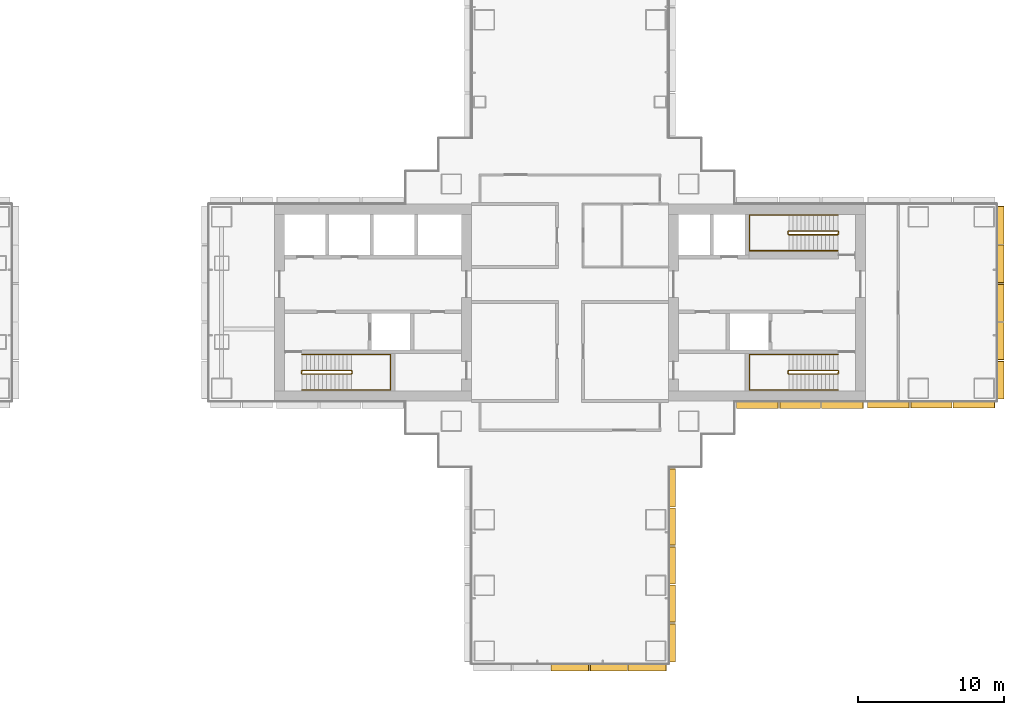
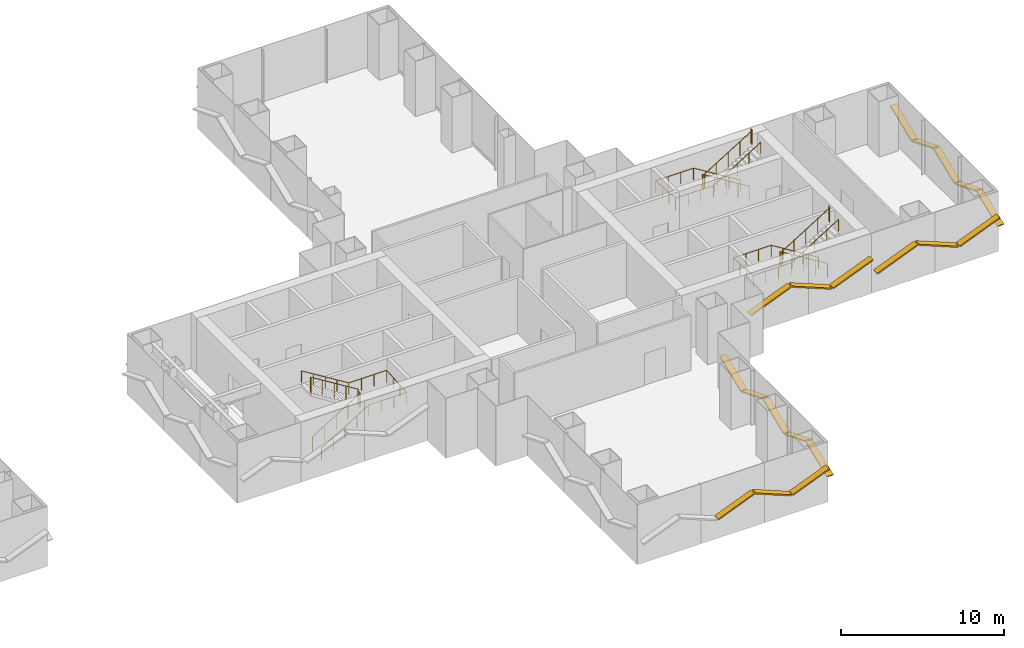
# One storey, part 21 of 22: 19 shading devices, 6 railings.
"""IFC4 building model written with IfcOpenShell, lengths in metres."""

from ifc_helpers import new_model, si_unit, direction, frame, origin, origin_2d, place, context, subcontext, project, spatial, rectangle, circle, extrude, material, material_profile, profile_set, type_object, element, save


model = new_model("IFC4")

# Units and contexts
model_context = context("Model", 3, precision=1e-05, world=origin(), true_north=direction((0.0, 1.0)))
body_context = subcontext(model_context, "Body", "Model", "MODEL_VIEW")
ifc_project = project(units=[si_unit("LENGTHUNIT", "METRE"), si_unit("AREAUNIT", "SQUARE_METRE"), si_unit("VOLUMEUNIT", "CUBIC_METRE"), si_unit("PLANEANGLEUNIT", "RADIAN"), si_unit("MASSUNIT", "GRAM", prefix="KILO")], contexts=[model_context])

# Site, building, storey
site_placement = place(None, origin())
site = spatial("IfcSite", under=ifc_project, at=site_placement, CompositionType="ELEMENT")
building_placement = place(site_placement, origin())
building = spatial("IfcBuilding", under=site, at=building_placement, Name="Shamsa Quay Exchange Towers", CompositionType="ELEMENT")
storey_placement = place(building_placement, frame((0.0, 0.0, 33.0)))
storey = spatial("IfcBuildingStorey", under=building, at=storey_placement, Name="L06", CompositionType="ELEMENT", Elevation=33.0)

# Shading devices
ifc_material_1 = material(Name="Aluminium EN AW-6063 T6, black anodised", Category="aluminium")
ifc_material_profile = material_profile(ifc_material_1, rectangle(XDim=0.449951171875, YDim=0.10009765625, at=origin_2d()), Name="FIN450x100")
ifc_profile_set = profile_set([ifc_material_profile], Name="Aluminium EN AW-6063 T6, black anodised")
shading_device_type = type_object("IfcShadingDeviceType", Name="FIN 450x100 BLACK ALUMINIUM", PredefinedType="USERDEFINED", material=ifc_profile_set)
shading_device_1_placement = place(storey_placement, frame((45.18798828125, -7.01904296875, 1.326904296875), z_axis=(0.927200279974, 0.0, 0.374565936541), x_axis=(0.0, 1.0, 0.0)))
element("IfcShadingDevice", 1, at=shading_device_1_placement, inside=storey, type_object=shading_device_type, Name="FIN T2 chevron rib", ObjectType="FIN", PredefinedType="USERDEFINED", context=body_context, shape_type="SweptSolid", body=[
    extrude(rectangle(XDim=0.449951171875, YDim=0.10009765625, at=origin_2d()), origin(), (0.0, 0.0, 1.0), 3.060302734375),
])
shading_device_2_placement = place(storey_placement, frame((48.125244140625, -7.01904296875, 2.463134765625), z_axis=(0.927177294124, 0.0, -0.374622830673), x_axis=(0.0, 1.0, 0.0)))
element("IfcShadingDevice", 2, at=shading_device_2_placement, inside=storey, type_object=shading_device_type, Name="FIN T2 chevron rib", ObjectType="FIN", PredefinedType="USERDEFINED", context=body_context, shape_type="SweptSolid", body=[
    extrude(rectangle(XDim=0.449951171875, YDim=0.10009765625, at=origin_2d()), origin(), (0.0, 0.0, 1.0), 3.00634765625),
])
shading_device_3_placement = place(storey_placement, frame((51.0126953125, -7.01904296875, 1.326904296875), z_axis=(0.927200279974, 0.0, 0.374565936541), x_axis=(0.0, 1.0, 0.0)))
element("IfcShadingDevice", 3, at=shading_device_3_placement, inside=storey, type_object=shading_device_type, Name="FIN T2 chevron rib", ObjectType="FIN", PredefinedType="USERDEFINED", context=body_context, shape_type="SweptSolid", body=[
    extrude(rectangle(XDim=0.449951171875, YDim=0.10009765625, at=origin_2d()), origin(), (0.0, 0.0, 1.0), 3.060302734375),
])
shading_device_4_placement = place(storey_placement, frame((54.14990234375, -7.014892578125, 1.32421875), z_axis=(0.927172879528, 0.0, 0.374633756445), x_axis=(0.0, 1.0, 0.0)))
element("IfcShadingDevice", 4, at=shading_device_4_placement, inside=storey, type_object=shading_device_type, Name="FIN T2 chevron rib", ObjectType="FIN", PredefinedType="USERDEFINED", context=body_context, shape_type="SweptSolid", body=[
    extrude(rectangle(XDim=0.449951171875, YDim=0.10009765625, at=origin_2d()), origin(), (0.0, 0.0, 1.0), 3.073974609375),
])
shading_device_5_placement = place(storey_placement, frame((57.10009765625, -7.014892578125, 2.465576171875), z_axis=(0.927194321903, 0.0, -0.374580684808), x_axis=(0.0, 1.0, 0.0)))
element("IfcShadingDevice", 5, at=shading_device_5_placement, inside=storey, type_object=shading_device_type, Name="FIN T2 chevron rib", ObjectType="FIN", PredefinedType="USERDEFINED", context=body_context, shape_type="SweptSolid", body=[
    extrude(rectangle(XDim=0.449951171875, YDim=0.10009765625, at=origin_2d()), origin(), (0.0, 0.0, 1.0), 3.01953125),
])
shading_device_6_placement = place(storey_placement, frame((60.0, -7.014892578125, 1.32421875), z_axis=(0.927172879528, 0.0, 0.374633756445), x_axis=(0.0, 1.0, 0.0)))
element("IfcShadingDevice", 6, at=shading_device_6_placement, inside=storey, type_object=shading_device_type, Name="FIN T2 chevron rib", ObjectType="FIN", PredefinedType="USERDEFINED", context=body_context, shape_type="SweptSolid", body=[
    extrude(rectangle(XDim=0.449951171875, YDim=0.10009765625, at=origin_2d()), origin(), (0.0, 0.0, 1.0), 3.073974609375),
])
shading_device_7_placement = place(storey_placement, frame((63.264892578125, -6.60009765625, 1.376708984375), z_axis=(0.0, 0.927193392866, 0.374582984431), x_axis=(-1.0, 0.0, 0.0)))
element("IfcShadingDevice", 7, at=shading_device_7_placement, inside=storey, type_object=shading_device_type, Name="FIN T2 chevron rib", ObjectType="FIN", PredefinedType="USERDEFINED", context=body_context, shape_type="SweptSolid", body=[
    extrude(rectangle(XDim=0.449951171875, YDim=0.10009765625, at=origin_2d()), origin(), (0.0, 0.0, 1.0), 2.79345703125),
])
shading_device_8_placement = place(storey_placement, frame((63.264892578125, -3.909912109375, 2.4130859375), z_axis=(0.0, 0.92718648049, -0.374600093963), x_axis=(-1.0, 0.0, 0.0)))
element("IfcShadingDevice", 8, at=shading_device_8_placement, inside=storey, type_object=shading_device_type, Name="FIN T2 chevron rib", ObjectType="FIN", PredefinedType="USERDEFINED", context=body_context, shape_type="SweptSolid", body=[
    extrude(rectangle(XDim=0.449951171875, YDim=0.10009765625, at=origin_2d()), origin(), (0.0, 0.0, 1.0), 2.7392578125),
])
shading_device_9_placement = place(storey_placement, frame((63.264892578125, -1.27001953125, 1.386962890625), z_axis=(0.0, 0.927198985683, 0.37456914041), x_axis=(-1.0, 0.0, 0.0)))
element("IfcShadingDevice", 9, at=shading_device_9_placement, inside=storey, type_object=shading_device_type, Name="FIN T2 chevron rib", ObjectType="FIN", PredefinedType="USERDEFINED", context=body_context, shape_type="SweptSolid", body=[
    extrude(rectangle(XDim=0.449951171875, YDim=0.10009765625, at=origin_2d()), origin(), (0.0, 0.0, 1.0), 2.739501953125),
])
shading_device_10_placement = place(storey_placement, frame((63.264892578125, 1.3701171875, 2.4130859375), z_axis=(0.0, 0.92718648049, -0.374600093963), x_axis=(-1.0, 0.0, 0.0)))
element("IfcShadingDevice", 10, at=shading_device_10_placement, inside=storey, type_object=shading_device_type, Name="FIN T2 chevron rib", ObjectType="FIN", PredefinedType="USERDEFINED", context=body_context, shape_type="SweptSolid", body=[
    extrude(rectangle(XDim=0.449951171875, YDim=0.10009765625, at=origin_2d()), origin(), (0.0, 0.0, 1.0), 2.7392578125),
])
shading_device_11_placement = place(storey_placement, frame((63.264892578125, 4.010009765625, 1.376708984375), z_axis=(0.0, 0.927193392866, 0.374582984431), x_axis=(-1.0, 0.0, 0.0)))
element("IfcShadingDevice", 11, at=shading_device_11_placement, inside=storey, type_object=shading_device_type, Name="FIN T2 chevron rib", ObjectType="FIN", PredefinedType="USERDEFINED", context=body_context, shape_type="SweptSolid", body=[
    extrude(rectangle(XDim=0.449951171875, YDim=0.10009765625, at=origin_2d()), origin(), (0.0, 0.0, 1.0), 2.79345703125),
])
shading_device_12_placement = place(storey_placement, frame((32.47998046875, -25.014892578125, 1.386962890625), z_axis=(0.927198985683, 0.0, 0.37456914041), x_axis=(0.0, 1.0, 0.0)))
element("IfcShadingDevice", 12, at=shading_device_12_placement, inside=storey, type_object=shading_device_type, Name="FIN T2 chevron rib", ObjectType="FIN", PredefinedType="USERDEFINED", context=body_context, shape_type="SweptSolid", body=[
    extrude(rectangle(XDim=0.449951171875, YDim=0.10009765625, at=origin_2d()), origin(), (0.0, 0.0, 1.0), 2.739501953125),
])
shading_device_13_placement = place(storey_placement, frame((35.1201171875, -25.014892578125, 2.4130859375), z_axis=(0.92718648049, 0.0, -0.374600093963), x_axis=(0.0, 1.0, 0.0)))
element("IfcShadingDevice", 13, at=shading_device_13_placement, inside=storey, type_object=shading_device_type, Name="FIN T2 chevron rib", ObjectType="FIN", PredefinedType="USERDEFINED", context=body_context, shape_type="SweptSolid", body=[
    extrude(rectangle(XDim=0.449951171875, YDim=0.10009765625, at=origin_2d()), origin(), (0.0, 0.0, 1.0), 2.7392578125),
])
for number, where, z_axis, x_axis, name in (
    (14, (37.760009765625, -25.014892578125, 1.376708984375), (0.927193392866, 0.0, 0.374582984431), (0.0, 1.0, 0.0), "FIN T2 chevron rib"),
    (15, (40.764892578125, -24.60009765625, 1.376708984375), (0.0, 0.927193392866, 0.374582984431), (-1.0, 0.0, 0.0), "FIN T2 chevron rib"),
):
    element("IfcShadingDevice", number, at=place(storey_placement, frame(where, z_axis=z_axis, x_axis=x_axis)), inside=storey, type_object=shading_device_type, Name=name, ObjectType="FIN", PredefinedType="USERDEFINED", context=body_context, shape_type="SweptSolid", body=[
        extrude(rectangle(XDim=0.449951171875, YDim=0.10009765625, at=origin_2d()), origin(), (0.0, 0.0, 1.0), 2.79345703125),
    ])
shading_device_14_placement = place(storey_placement, frame((40.764892578125, -21.909912109375, 2.4130859375), z_axis=(0.0, 0.92718648049, -0.374600093963), x_axis=(-1.0, 0.0, 0.0)))
element("IfcShadingDevice", 16, at=shading_device_14_placement, inside=storey, type_object=shading_device_type, Name="FIN T2 chevron rib", ObjectType="FIN", PredefinedType="USERDEFINED", context=body_context, shape_type="SweptSolid", body=[
    extrude(rectangle(XDim=0.449951171875, YDim=0.10009765625, at=origin_2d()), origin(), (0.0, 0.0, 1.0), 2.7392578125),
])
shading_device_15_placement = place(storey_placement, frame((40.764892578125, -19.27001953125, 1.386962890625), z_axis=(0.0, 0.927198985683, 0.37456914041), x_axis=(-1.0, 0.0, 0.0)))
element("IfcShadingDevice", 17, at=shading_device_15_placement, inside=storey, type_object=shading_device_type, Name="FIN T2 chevron rib", ObjectType="FIN", PredefinedType="USERDEFINED", context=body_context, shape_type="SweptSolid", body=[
    extrude(rectangle(XDim=0.449951171875, YDim=0.10009765625, at=origin_2d()), origin(), (0.0, 0.0, 1.0), 2.739501953125),
])
shading_device_16_placement = place(storey_placement, frame((40.764892578125, -16.6298828125, 2.4130859375), z_axis=(0.0, 0.92718648049, -0.374600093963), x_axis=(-1.0, 0.0, 0.0)))
element("IfcShadingDevice", 18, at=shading_device_16_placement, inside=storey, type_object=shading_device_type, Name="FIN T2 chevron rib", ObjectType="FIN", PredefinedType="USERDEFINED", context=body_context, shape_type="SweptSolid", body=[
    extrude(rectangle(XDim=0.449951171875, YDim=0.10009765625, at=origin_2d()), origin(), (0.0, 0.0, 1.0), 2.7392578125),
])
shading_device_17_placement = place(storey_placement, frame((40.764892578125, -13.989990234375, 1.376708984375), z_axis=(0.0, 0.927193392866, 0.374582984431), x_axis=(-1.0, 0.0, 0.0)))
element("IfcShadingDevice", 19, at=shading_device_17_placement, inside=storey, type_object=shading_device_type, Name="FIN T2 chevron rib", ObjectType="FIN", PredefinedType="USERDEFINED", context=body_context, shape_type="SweptSolid", body=[
    extrude(rectangle(XDim=0.449951171875, YDim=0.10009765625, at=origin_2d()), origin(), (0.0, 0.0, 1.0), 2.79345703125),
])

# Railings
ifc_material_2 = material(Name="Stainless steel", Category="steel")
railing_type_1 = type_object("IfcRailingType", Name="STAIR GUARD 1100", PredefinedType="GUARDRAIL", material=ifc_material_2)
railing_1_placement = place(storey_placement, frame((15.39990234375, -4.89990234375, 0.173095703125)))
element("IfcRailing", 20, at=railing_1_placement, inside=storey, type_object=railing_type_1, Name="L06 ST4 stair guard 1", PredefinedType="GUARDRAIL", context=body_context, shape_type="SweptSolid", body=[
    extrude(circle(Radius=0.02392578125, at=origin_2d()), frame((0.0, 0.0, 1.076171875), z_axis=(0.850623216509, 0.0, 0.525775754039), x_axis=(0.0, 1.0, 0.0)), (0.0, 0.0, 1.0), 3.9501953125),
    extrude(circle(Radius=0.02392578125, at=origin_2d()), frame((3.360107421875, 0.0, 3.15283203125), z_axis=(0.708833529934, 0.705375805398, 0.0), x_axis=(-0.705375805398, 0.708833529934, 0.0)), (0.0, 0.0, 1.0), 0.070556640625),
    extrude(circle(Radius=0.02392578125, at=origin_2d()), frame((3.41015625, 0.0498046875, 3.15283203125), z_axis=(0.0, 1.0, 0.0), x_axis=(-1.0, 0.0, 0.0)), (0.0, 0.0, 1.0), 0.150146484375),
    extrude(circle(Radius=0.02392578125, at=origin_2d()), frame((3.41015625, 0.199951171875, 3.15283203125), z_axis=(-0.267629722418, 0.267629722418, 0.925607186314), x_axis=(-0.707106781187, -0.707106781187, 0.0)), (0.0, 0.0, 1.0), 0.18701171875),
    extrude(circle(Radius=0.02392578125, at=origin_2d()), frame((3.360107421875, 0.25, 3.326171875), z_axis=(-0.850623216509, 0.0, 0.525775754039), x_axis=(0.0, -1.0, 0.0)), (0.0, 0.0, 1.0), 3.9501953125),
    extrude(circle(Radius=0.02392578125, at=origin_2d()), frame((0.0, 0.25, 5.40283203125), z_axis=(-0.24142163986, -0.970420317083, 0.0), x_axis=(0.970420317083, -0.24142163986, 0.0)), (0.0, 0.0, 1.0), 0.206298828125),
    extrude(circle(Radius=0.02392578125, at=origin_2d()), frame((-0.0498046875, 0.0498046875, 5.40283203125), z_axis=(0.0, 1.0, 0.0), x_axis=(-1.0, 0.0, 0.0)), (0.0, 0.0, 1.0), 0.150146484375),
    extrude(circle(Radius=0.02099609375, at=origin_2d()), origin(), (0.0, 0.0, 1.0), 1.052001953125),
    extrude(circle(Radius=0.02099609375, at=origin_2d()), frame((0.840087890625, 0.0, 0.519287109375)), (0.0, 0.0, 1.0), 1.052001953125),
    extrude(circle(Radius=0.02099609375, at=origin_2d()), frame((1.68017578125, 0.0, 1.03857421875)), (0.0, 0.0, 1.0), 1.052001953125),
    extrude(circle(Radius=0.02099609375, at=origin_2d()), frame((2.52001953125, 0.0, 1.5576171875)), (0.0, 0.0, 1.0), 1.052001953125),
    extrude(circle(Radius=0.02099609375, at=origin_2d()), frame((3.360107421875, 0.0, 2.076904296875)), (0.0, 0.0, 1.0), 1.052001953125),
    extrude(circle(Radius=0.02099609375, at=origin_2d()), frame((3.41015625, 0.0498046875, 2.076904296875)), (0.0, 0.0, 1.0), 1.052001953125),
    extrude(circle(Radius=0.02099609375, at=origin_2d()), frame((3.41015625, 0.199951171875, 2.076904296875)), (0.0, 0.0, 1.0), 1.052001953125),
    extrude(circle(Radius=0.02099609375, at=origin_2d()), frame((3.360107421875, 0.25, 2.25)), (0.0, 0.0, 1.0), 1.052001953125),
    extrude(circle(Radius=0.02099609375, at=origin_2d()), frame((2.52001953125, 0.25, 2.769287109375)), (0.0, 0.0, 1.0), 1.052001953125),
    extrude(circle(Radius=0.02099609375, at=origin_2d()), frame((1.68017578125, 0.25, 3.28857421875)), (0.0, 0.0, 1.0), 1.052001953125),
    extrude(circle(Radius=0.02099609375, at=origin_2d()), frame((0.840087890625, 0.25, 3.8076171875)), (0.0, 0.0, 1.0), 1.052001953125),
    extrude(circle(Radius=0.02099609375, at=origin_2d()), frame((0.0, 0.25, 4.326904296875)), (0.0, 0.0, 1.0), 1.052001953125),
    extrude(circle(Radius=0.02099609375, at=origin_2d()), frame((-0.0498046875, 0.0498046875, 4.326904296875)), (0.0, 0.0, 1.0), 1.052001953125),
    extrude(circle(Radius=0.02099609375, at=origin_2d()), frame((-0.0498046875, 0.199951171875, 4.326904296875)), (0.0, 0.0, 1.0), 1.052001953125),
])
railing_2_placement = place(storey_placement, frame((52.10009765625, -4.64990234375, 0.173095703125)))
element("IfcRailing", 21, at=railing_2_placement, inside=storey, type_object=railing_type_1, Name="L06 ST5 stair guard 1", PredefinedType="GUARDRAIL", context=body_context, shape_type="SweptSolid", body=[
    extrude(circle(Radius=0.02392578125, at=origin_2d()), frame((0.0, 0.0, 1.076171875), z_axis=(-0.850623216509, 0.0, 0.525775754039), x_axis=(0.0, -1.0, 0.0)), (0.0, 0.0, 1.0), 3.9501953125),
    extrude(circle(Radius=0.02392578125, at=origin_2d()), frame((-3.360107421875, 0.0, 3.15283203125), z_axis=(-0.707106781187, -0.707106781187, 0.0), x_axis=(0.707106781187, -0.707106781187, 0.0)), (0.0, 0.0, 1.0), 0.07080078125),
    extrude(circle(Radius=0.02392578125, at=origin_2d()), frame((-3.41015625, -0.050048828125, 3.15283203125), z_axis=(0.0, -1.0, 0.0), x_axis=(1.0, 0.0, 0.0)), (0.0, 0.0, 1.0), 0.150146484375),
    extrude(circle(Radius=0.02392578125, at=origin_2d()), frame((-3.41015625, -0.2001953125, 3.15283203125), z_axis=(0.267723051232, -0.266417085129, 0.925929967433), x_axis=(0.705375805398, 0.708833529934, 0.0)), (0.0, 0.0, 1.0), 0.18701171875),
    extrude(circle(Radius=0.02392578125, at=origin_2d()), frame((-3.360107421875, -0.25, 3.326171875), z_axis=(0.850623216509, 0.0, 0.525775754039), x_axis=(0.0, 1.0, 0.0)), (0.0, 0.0, 1.0), 3.9501953125),
    extrude(circle(Radius=0.02392578125, at=origin_2d()), frame((0.0, -0.25, 5.40283203125), z_axis=(0.241699205484, 0.970351222016, 0.0), x_axis=(-0.970351222016, 0.241699205484, 0.0)), (0.0, 0.0, 1.0), 0.2060546875),
    extrude(circle(Radius=0.02392578125, at=origin_2d()), frame((0.0498046875, -0.050048828125, 5.40283203125), z_axis=(0.0, -1.0, 0.0), x_axis=(1.0, 0.0, 0.0)), (0.0, 0.0, 1.0), 0.150146484375),
    extrude(circle(Radius=0.02099609375, at=origin_2d()), origin(), (0.0, 0.0, 1.0), 1.052001953125),
    extrude(circle(Radius=0.02099609375, at=origin_2d()), frame((-0.840087890625, 0.0, 0.519287109375)), (0.0, 0.0, 1.0), 1.052001953125),
    extrude(circle(Radius=0.02099609375, at=origin_2d()), frame((-1.68017578125, 0.0, 1.03857421875)), (0.0, 0.0, 1.0), 1.052001953125),
    extrude(circle(Radius=0.02099609375, at=origin_2d()), frame((-2.52001953125, 0.0, 1.5576171875)), (0.0, 0.0, 1.0), 1.052001953125),
    extrude(circle(Radius=0.02099609375, at=origin_2d()), frame((-3.360107421875, 0.0, 2.076904296875)), (0.0, 0.0, 1.0), 1.052001953125),
    extrude(circle(Radius=0.02099609375, at=origin_2d()), frame((-3.41015625, -0.050048828125, 2.076904296875)), (0.0, 0.0, 1.0), 1.052001953125),
    extrude(circle(Radius=0.02099609375, at=origin_2d()), frame((-3.41015625, -0.2001953125, 2.076904296875)), (0.0, 0.0, 1.0), 1.052001953125),
    extrude(circle(Radius=0.02099609375, at=origin_2d()), frame((-3.360107421875, -0.25, 2.25)), (0.0, 0.0, 1.0), 1.052001953125),
    extrude(circle(Radius=0.02099609375, at=origin_2d()), frame((-2.52001953125, -0.25, 2.769287109375)), (0.0, 0.0, 1.0), 1.052001953125),
    extrude(circle(Radius=0.02099609375, at=origin_2d()), frame((-1.68017578125, -0.25, 3.28857421875)), (0.0, 0.0, 1.0), 1.052001953125),
    extrude(circle(Radius=0.02099609375, at=origin_2d()), frame((-0.840087890625, -0.25, 3.8076171875)), (0.0, 0.0, 1.0), 1.052001953125),
    extrude(circle(Radius=0.02099609375, at=origin_2d()), frame((0.0, -0.25, 4.326904296875)), (0.0, 0.0, 1.0), 1.052001953125),
    extrude(circle(Radius=0.02099609375, at=origin_2d()), frame((0.0498046875, -0.050048828125, 4.326904296875)), (0.0, 0.0, 1.0), 1.052001953125),
    extrude(circle(Radius=0.02099609375, at=origin_2d()), frame((0.0498046875, -0.2001953125, 4.326904296875)), (0.0, 0.0, 1.0), 1.052001953125),
])
railing_3_placement = place(storey_placement, frame((52.10009765625, 4.89990234375, 0.173095703125)))
element("IfcRailing", 22, at=railing_3_placement, inside=storey, type_object=railing_type_1, Name="L06 ST6 stair guard 1", PredefinedType="GUARDRAIL", context=body_context, shape_type="SweptSolid", body=[
    extrude(circle(Radius=0.02392578125, at=origin_2d()), frame((0.0, 0.0, 1.076171875), z_axis=(-0.850623216509, 0.0, 0.525775754039), x_axis=(0.0, -1.0, 0.0)), (0.0, 0.0, 1.0), 3.9501953125),
    extrude(circle(Radius=0.02392578125, at=origin_2d()), frame((-3.360107421875, 0.0, 3.15283203125), z_axis=(-0.708833529934, -0.705375805398, 0.0), x_axis=(0.705375805398, -0.708833529934, 0.0)), (0.0, 0.0, 1.0), 0.070556640625),
    extrude(circle(Radius=0.02392578125, at=origin_2d()), frame((-3.41015625, -0.0498046875, 3.15283203125), z_axis=(0.0, -1.0, 0.0), x_axis=(1.0, 0.0, 0.0)), (0.0, 0.0, 1.0), 0.150146484375),
    extrude(circle(Radius=0.02392578125, at=origin_2d()), frame((-3.41015625, -0.199951171875, 3.15283203125), z_axis=(0.267629722418, -0.267629722418, 0.925607186314), x_axis=(0.707106781187, 0.707106781187, 0.0)), (0.0, 0.0, 1.0), 0.18701171875),
    extrude(circle(Radius=0.02392578125, at=origin_2d()), frame((-3.360107421875, -0.25, 3.326171875), z_axis=(0.850623216509, 0.0, 0.525775754039), x_axis=(0.0, 1.0, 0.0)), (0.0, 0.0, 1.0), 3.9501953125),
    extrude(circle(Radius=0.02392578125, at=origin_2d()), frame((0.0, -0.25, 5.40283203125), z_axis=(0.24142163986, 0.970420317083, 0.0), x_axis=(-0.970420317083, 0.24142163986, 0.0)), (0.0, 0.0, 1.0), 0.206298828125),
    extrude(circle(Radius=0.02392578125, at=origin_2d()), frame((0.0498046875, -0.0498046875, 5.40283203125), z_axis=(0.0, -1.0, 0.0), x_axis=(1.0, 0.0, 0.0)), (0.0, 0.0, 1.0), 0.150146484375),
    extrude(circle(Radius=0.02099609375, at=origin_2d()), origin(), (0.0, 0.0, 1.0), 1.052001953125),
    extrude(circle(Radius=0.02099609375, at=origin_2d()), frame((-0.840087890625, 0.0, 0.519287109375)), (0.0, 0.0, 1.0), 1.052001953125),
    extrude(circle(Radius=0.02099609375, at=origin_2d()), frame((-1.68017578125, 0.0, 1.03857421875)), (0.0, 0.0, 1.0), 1.052001953125),
    extrude(circle(Radius=0.02099609375, at=origin_2d()), frame((-2.52001953125, 0.0, 1.5576171875)), (0.0, 0.0, 1.0), 1.052001953125),
    extrude(circle(Radius=0.02099609375, at=origin_2d()), frame((-3.360107421875, 0.0, 2.076904296875)), (0.0, 0.0, 1.0), 1.052001953125),
    extrude(circle(Radius=0.02099609375, at=origin_2d()), frame((-3.41015625, -0.0498046875, 2.076904296875)), (0.0, 0.0, 1.0), 1.052001953125),
    extrude(circle(Radius=0.02099609375, at=origin_2d()), frame((-3.41015625, -0.199951171875, 2.076904296875)), (0.0, 0.0, 1.0), 1.052001953125),
    extrude(circle(Radius=0.02099609375, at=origin_2d()), frame((-3.360107421875, -0.25, 2.25)), (0.0, 0.0, 1.0), 1.052001953125),
    extrude(circle(Radius=0.02099609375, at=origin_2d()), frame((-2.52001953125, -0.25, 2.769287109375)), (0.0, 0.0, 1.0), 1.052001953125),
    extrude(circle(Radius=0.02099609375, at=origin_2d()), frame((-1.68017578125, -0.25, 3.28857421875)), (0.0, 0.0, 1.0), 1.052001953125),
    extrude(circle(Radius=0.02099609375, at=origin_2d()), frame((-0.840087890625, -0.25, 3.8076171875)), (0.0, 0.0, 1.0), 1.052001953125),
    extrude(circle(Radius=0.02099609375, at=origin_2d()), frame((0.0, -0.25, 4.326904296875)), (0.0, 0.0, 1.0), 1.052001953125),
    extrude(circle(Radius=0.02099609375, at=origin_2d()), frame((0.0498046875, -0.0498046875, 4.326904296875)), (0.0, 0.0, 1.0), 1.052001953125),
    extrude(circle(Radius=0.02099609375, at=origin_2d()), frame((0.0498046875, -0.199951171875, 4.326904296875)), (0.0, 0.0, 1.0), 1.052001953125),
])
railing_type_2 = type_object("IfcRailingType", Name="STAIR HANDRAIL 900", PredefinedType="HANDRAIL", material=ifc_material_2)
railing_4_placement = place(storey_placement, frame((15.39990234375, -6.0, 0.173095703125)))
element("IfcRailing", 23, at=railing_4_placement, inside=storey, type_object=railing_type_2, Name="L06 ST4 stair handrail 1", PredefinedType="HANDRAIL", context=body_context, shape_type="SweptSolid", body=[
    extrude(circle(Radius=0.02392578125, at=origin_2d()), frame((0.0, 0.0, 0.8759765625), z_axis=(0.850623216509, 0.0, 0.525775754039), x_axis=(0.0, 1.0, 0.0)), (0.0, 0.0, 1.0), 3.9501953125),
    extrude(circle(Radius=0.02392578125, at=origin_2d()), frame((3.360107421875, 0.0, 2.95263671875), z_axis=(1.0, 0.0, 0.0), x_axis=(0.0, 1.0, 0.0)), (0.0, 0.0, 1.0), 2.68994140625),
    extrude(circle(Radius=0.02392578125, at=origin_2d()), frame((6.050048828125, 0.0, 2.95263671875), z_axis=(0.0, 0.997513402493, 0.07047703063), x_axis=(-1.0, 0.0, 0.0)), (0.0, 0.0, 1.0), 2.4560546875),
    extrude(circle(Radius=0.02392578125, at=origin_2d()), frame((6.050048828125, 2.449951171875, 3.1259765625), z_axis=(-1.0, 0.0, 0.0), x_axis=(0.0, -1.0, 0.0)), (0.0, 0.0, 1.0), 2.68994140625),
    extrude(circle(Radius=0.02392578125, at=origin_2d()), frame((3.360107421875, 2.449951171875, 3.1259765625), z_axis=(-0.850623216509, 0.0, 0.525775754039), x_axis=(0.0, -1.0, 0.0)), (0.0, 0.0, 1.0), 3.9501953125),
    extrude(circle(Radius=0.02099609375, at=origin_2d()), origin(), (0.0, 0.0, 1.0), 0.851806640625),
    extrude(circle(Radius=0.02099609375, at=origin_2d()), frame((0.840087890625, 0.0, 0.519287109375)), (0.0, 0.0, 1.0), 0.851806640625),
    extrude(circle(Radius=0.02099609375, at=origin_2d()), frame((1.68017578125, 0.0, 1.03857421875)), (0.0, 0.0, 1.0), 0.851806640625),
    extrude(circle(Radius=0.02099609375, at=origin_2d()), frame((2.52001953125, 0.0, 1.5576171875)), (0.0, 0.0, 1.0), 0.851806640625),
    extrude(circle(Radius=0.02099609375, at=origin_2d()), frame((3.360107421875, 0.0, 2.076904296875)), (0.0, 0.0, 1.0), 0.851806640625),
    extrude(circle(Radius=0.02099609375, at=origin_2d()), frame((4.2568359375, 0.0, 2.076904296875)), (0.0, 0.0, 1.0), 0.851806640625),
    extrude(circle(Radius=0.02099609375, at=origin_2d()), frame((5.1533203125, 0.0, 2.076904296875)), (0.0, 0.0, 1.0), 0.851806640625),
    extrude(circle(Radius=0.02099609375, at=origin_2d()), frame((6.050048828125, 0.0, 2.076904296875)), (0.0, 0.0, 1.0), 0.851806640625),
    extrude(circle(Radius=0.02099609375, at=origin_2d()), frame((6.050048828125, 0.816650390625, 2.134521484375)), (0.0, 0.0, 1.0), 0.851806640625),
    extrude(circle(Radius=0.02099609375, at=origin_2d()), frame((6.050048828125, 1.63330078125, 2.1923828125)), (0.0, 0.0, 1.0), 0.851806640625),
    extrude(circle(Radius=0.02099609375, at=origin_2d()), frame((6.050048828125, 2.449951171875, 2.25)), (0.0, 0.0, 1.0), 0.851806640625),
    extrude(circle(Radius=0.02099609375, at=origin_2d()), frame((5.1533203125, 2.449951171875, 2.25)), (0.0, 0.0, 1.0), 0.851806640625),
    extrude(circle(Radius=0.02099609375, at=origin_2d()), frame((4.2568359375, 2.449951171875, 2.25)), (0.0, 0.0, 1.0), 0.851806640625),
    extrude(circle(Radius=0.02099609375, at=origin_2d()), frame((3.360107421875, 2.449951171875, 2.25)), (0.0, 0.0, 1.0), 0.851806640625),
    extrude(circle(Radius=0.02099609375, at=origin_2d()), frame((2.52001953125, 2.449951171875, 2.769287109375)), (0.0, 0.0, 1.0), 0.851806640625),
    extrude(circle(Radius=0.02099609375, at=origin_2d()), frame((1.68017578125, 2.449951171875, 3.28857421875)), (0.0, 0.0, 1.0), 0.851806640625),
    extrude(circle(Radius=0.02099609375, at=origin_2d()), frame((0.840087890625, 2.449951171875, 3.8076171875)), (0.0, 0.0, 1.0), 0.851806640625),
    extrude(circle(Radius=0.02099609375, at=origin_2d()), frame((0.0, 2.449951171875, 4.326904296875)), (0.0, 0.0, 1.0), 0.851806640625),
])
railing_5_placement = place(storey_placement, frame((52.10009765625, -3.550048828125, 0.173095703125)))
element("IfcRailing", 24, at=railing_5_placement, inside=storey, type_object=railing_type_2, Name="L06 ST5 stair handrail 1", PredefinedType="HANDRAIL", context=body_context, shape_type="SweptSolid", body=[
    extrude(circle(Radius=0.02392578125, at=origin_2d()), frame((0.0, 0.0, 0.8759765625), z_axis=(-0.850623216509, 0.0, 0.525775754039), x_axis=(0.0, -1.0, 0.0)), (0.0, 0.0, 1.0), 3.9501953125),
    extrude(circle(Radius=0.02392578125, at=origin_2d()), frame((-3.360107421875, 0.0, 2.95263671875), z_axis=(-1.0, 0.0, 0.0), x_axis=(0.0, -1.0, 0.0)), (0.0, 0.0, 1.0), 2.68994140625),
    extrude(circle(Radius=0.02392578125, at=origin_2d()), frame((-6.050048828125, 0.0, 2.95263671875), z_axis=(0.0, -0.997513402493, 0.07047703063), x_axis=(1.0, 0.0, 0.0)), (0.0, 0.0, 1.0), 2.4560546875),
    extrude(circle(Radius=0.02392578125, at=origin_2d()), frame((-6.050048828125, -2.449951171875, 3.1259765625), z_axis=(1.0, 0.0, 0.0), x_axis=(0.0, 1.0, 0.0)), (0.0, 0.0, 1.0), 2.68994140625),
    extrude(circle(Radius=0.02392578125, at=origin_2d()), frame((-3.360107421875, -2.449951171875, 3.1259765625), z_axis=(0.850623216509, 0.0, 0.525775754039), x_axis=(0.0, 1.0, 0.0)), (0.0, 0.0, 1.0), 3.9501953125),
    extrude(circle(Radius=0.02099609375, at=origin_2d()), origin(), (0.0, 0.0, 1.0), 0.851806640625),
    extrude(circle(Radius=0.02099609375, at=origin_2d()), frame((-0.840087890625, 0.0, 0.519287109375)), (0.0, 0.0, 1.0), 0.851806640625),
    extrude(circle(Radius=0.02099609375, at=origin_2d()), frame((-1.68017578125, 0.0, 1.03857421875)), (0.0, 0.0, 1.0), 0.851806640625),
    extrude(circle(Radius=0.02099609375, at=origin_2d()), frame((-2.52001953125, 0.0, 1.5576171875)), (0.0, 0.0, 1.0), 0.851806640625),
    extrude(circle(Radius=0.02099609375, at=origin_2d()), frame((-3.360107421875, 0.0, 2.076904296875)), (0.0, 0.0, 1.0), 0.851806640625),
    extrude(circle(Radius=0.02099609375, at=origin_2d()), frame((-4.2568359375, 0.0, 2.076904296875)), (0.0, 0.0, 1.0), 0.851806640625),
    extrude(circle(Radius=0.02099609375, at=origin_2d()), frame((-5.1533203125, 0.0, 2.076904296875)), (0.0, 0.0, 1.0), 0.851806640625),
    extrude(circle(Radius=0.02099609375, at=origin_2d()), frame((-6.050048828125, 0.0, 2.076904296875)), (0.0, 0.0, 1.0), 0.851806640625),
    extrude(circle(Radius=0.02099609375, at=origin_2d()), frame((-6.050048828125, -0.816650390625, 2.134521484375)), (0.0, 0.0, 1.0), 0.851806640625),
    extrude(circle(Radius=0.02099609375, at=origin_2d()), frame((-6.050048828125, -1.63330078125, 2.1923828125)), (0.0, 0.0, 1.0), 0.851806640625),
    extrude(circle(Radius=0.02099609375, at=origin_2d()), frame((-6.050048828125, -2.449951171875, 2.25)), (0.0, 0.0, 1.0), 0.851806640625),
    extrude(circle(Radius=0.02099609375, at=origin_2d()), frame((-5.1533203125, -2.449951171875, 2.25)), (0.0, 0.0, 1.0), 0.851806640625),
    extrude(circle(Radius=0.02099609375, at=origin_2d()), frame((-4.2568359375, -2.449951171875, 2.25)), (0.0, 0.0, 1.0), 0.851806640625),
    extrude(circle(Radius=0.02099609375, at=origin_2d()), frame((-3.360107421875, -2.449951171875, 2.25)), (0.0, 0.0, 1.0), 0.851806640625),
    extrude(circle(Radius=0.02099609375, at=origin_2d()), frame((-2.52001953125, -2.449951171875, 2.769287109375)), (0.0, 0.0, 1.0), 0.851806640625),
    extrude(circle(Radius=0.02099609375, at=origin_2d()), frame((-1.68017578125, -2.449951171875, 3.28857421875)), (0.0, 0.0, 1.0), 0.851806640625),
    extrude(circle(Radius=0.02099609375, at=origin_2d()), frame((-0.840087890625, -2.449951171875, 3.8076171875)), (0.0, 0.0, 1.0), 0.851806640625),
    extrude(circle(Radius=0.02099609375, at=origin_2d()), frame((0.0, -2.449951171875, 4.326904296875)), (0.0, 0.0, 1.0), 0.851806640625),
])
railing_6_placement = place(storey_placement, frame((52.10009765625, 6.0, 0.173095703125)))
element("IfcRailing", 25, at=railing_6_placement, inside=storey, type_object=railing_type_2, Name="L06 ST6 stair handrail 1", PredefinedType="HANDRAIL", context=body_context, shape_type="SweptSolid", body=[
    extrude(circle(Radius=0.02392578125, at=origin_2d()), frame((0.0, 0.0, 0.8759765625), z_axis=(-0.850623216509, 0.0, 0.525775754039), x_axis=(0.0, -1.0, 0.0)), (0.0, 0.0, 1.0), 3.9501953125),
    extrude(circle(Radius=0.02392578125, at=origin_2d()), frame((-3.360107421875, 0.0, 2.95263671875), z_axis=(-1.0, 0.0, 0.0), x_axis=(0.0, -1.0, 0.0)), (0.0, 0.0, 1.0), 2.68994140625),
    extrude(circle(Radius=0.02392578125, at=origin_2d()), frame((-6.050048828125, 0.0, 2.95263671875), z_axis=(0.0, -0.997513402493, 0.07047703063), x_axis=(1.0, 0.0, 0.0)), (0.0, 0.0, 1.0), 2.4560546875),
    extrude(circle(Radius=0.02392578125, at=origin_2d()), frame((-6.050048828125, -2.449951171875, 3.1259765625), z_axis=(1.0, 0.0, 0.0), x_axis=(0.0, 1.0, 0.0)), (0.0, 0.0, 1.0), 2.68994140625),
    extrude(circle(Radius=0.02392578125, at=origin_2d()), frame((-3.360107421875, -2.449951171875, 3.1259765625), z_axis=(0.850623216509, 0.0, 0.525775754039), x_axis=(0.0, 1.0, 0.0)), (0.0, 0.0, 1.0), 3.9501953125),
    extrude(circle(Radius=0.02099609375, at=origin_2d()), origin(), (0.0, 0.0, 1.0), 0.851806640625),
    extrude(circle(Radius=0.02099609375, at=origin_2d()), frame((-0.840087890625, 0.0, 0.519287109375)), (0.0, 0.0, 1.0), 0.851806640625),
    extrude(circle(Radius=0.02099609375, at=origin_2d()), frame((-1.68017578125, 0.0, 1.03857421875)), (0.0, 0.0, 1.0), 0.851806640625),
    extrude(circle(Radius=0.02099609375, at=origin_2d()), frame((-2.52001953125, 0.0, 1.5576171875)), (0.0, 0.0, 1.0), 0.851806640625),
    extrude(circle(Radius=0.02099609375, at=origin_2d()), frame((-3.360107421875, 0.0, 2.076904296875)), (0.0, 0.0, 1.0), 0.851806640625),
    extrude(circle(Radius=0.02099609375, at=origin_2d()), frame((-4.2568359375, 0.0, 2.076904296875)), (0.0, 0.0, 1.0), 0.851806640625),
    extrude(circle(Radius=0.02099609375, at=origin_2d()), frame((-5.1533203125, 0.0, 2.076904296875)), (0.0, 0.0, 1.0), 0.851806640625),
    extrude(circle(Radius=0.02099609375, at=origin_2d()), frame((-6.050048828125, 0.0, 2.076904296875)), (0.0, 0.0, 1.0), 0.851806640625),
    extrude(circle(Radius=0.02099609375, at=origin_2d()), frame((-6.050048828125, -0.816650390625, 2.134521484375)), (0.0, 0.0, 1.0), 0.851806640625),
    extrude(circle(Radius=0.02099609375, at=origin_2d()), frame((-6.050048828125, -1.63330078125, 2.1923828125)), (0.0, 0.0, 1.0), 0.851806640625),
    extrude(circle(Radius=0.02099609375, at=origin_2d()), frame((-6.050048828125, -2.449951171875, 2.25)), (0.0, 0.0, 1.0), 0.851806640625),
    extrude(circle(Radius=0.02099609375, at=origin_2d()), frame((-5.1533203125, -2.449951171875, 2.25)), (0.0, 0.0, 1.0), 0.851806640625),
    extrude(circle(Radius=0.02099609375, at=origin_2d()), frame((-4.2568359375, -2.449951171875, 2.25)), (0.0, 0.0, 1.0), 0.851806640625),
    extrude(circle(Radius=0.02099609375, at=origin_2d()), frame((-3.360107421875, -2.449951171875, 2.25)), (0.0, 0.0, 1.0), 0.851806640625),
    extrude(circle(Radius=0.02099609375, at=origin_2d()), frame((-2.52001953125, -2.449951171875, 2.769287109375)), (0.0, 0.0, 1.0), 0.851806640625),
    extrude(circle(Radius=0.02099609375, at=origin_2d()), frame((-1.68017578125, -2.449951171875, 3.28857421875)), (0.0, 0.0, 1.0), 0.851806640625),
    extrude(circle(Radius=0.02099609375, at=origin_2d()), frame((-0.840087890625, -2.449951171875, 3.8076171875)), (0.0, 0.0, 1.0), 0.851806640625),
    extrude(circle(Radius=0.02099609375, at=origin_2d()), frame((0.0, -2.449951171875, 4.326904296875)), (0.0, 0.0, 1.0), 0.851806640625),
])

save(model, "model.ifc")
